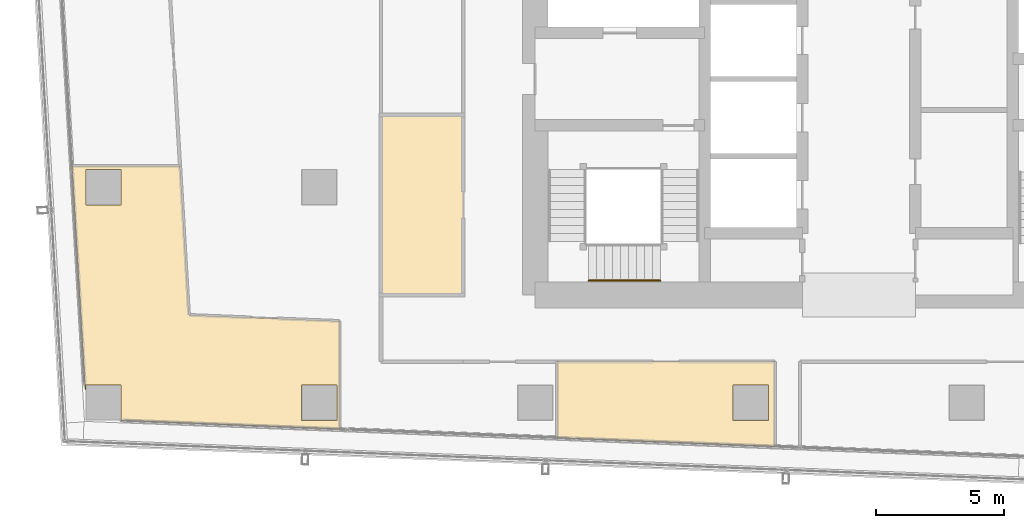
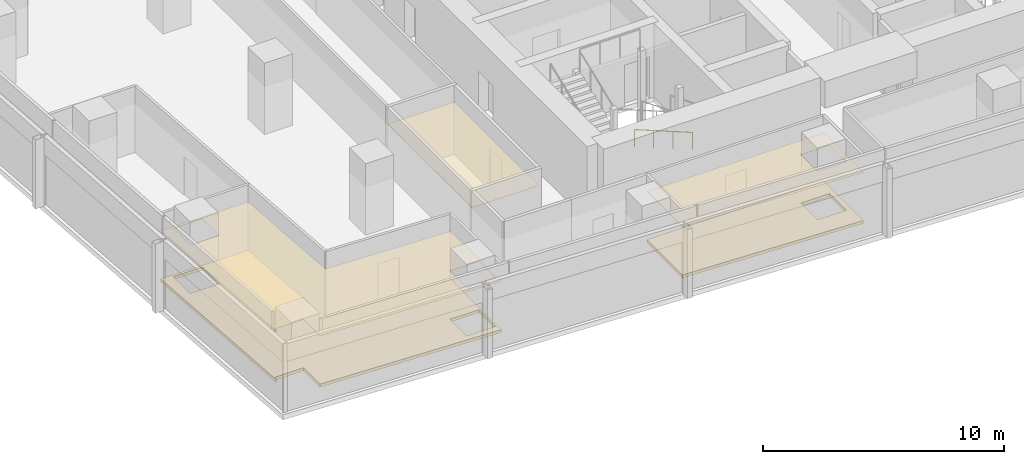
# One storey, part 31 of 38: 5 coverings, 1 railing.
"""IFC4 building model written with IfcOpenShell, lengths in metres."""

from ifc_helpers import new_model, si_unit, direction, frame, origin, origin_2d, place, context, subcontext, project, spatial, polyline, circle, outline, extrude, material, layer, layer_set, type_object, element, save


model = new_model("IFC4")

# Units and contexts
model_context = context("Model", 3, precision=1e-05, world=origin(), true_north=direction((0.0, 1.0)))
body_context = subcontext(model_context, "Body", "Model", "MODEL_VIEW")
ifc_project = project(units=[si_unit("LENGTHUNIT", "METRE"), si_unit("AREAUNIT", "SQUARE_METRE"), si_unit("VOLUMEUNIT", "CUBIC_METRE"), si_unit("PLANEANGLEUNIT", "RADIAN"), si_unit("MASSUNIT", "GRAM", prefix="KILO")], contexts=[model_context])

# Site, building, storey
site_placement = place(None, origin())
site = spatial("IfcSite", under=ifc_project, at=site_placement, CompositionType="ELEMENT")
building_placement = place(site_placement, origin())
building = spatial("IfcBuilding", under=site, at=building_placement, Name="Rekha Terrace Tower", CompositionType="ELEMENT")
storey_placement = place(building_placement, frame((0.0, 0.0, 202.699951171875)))
storey = spatial("IfcBuildingStorey", under=building, at=storey_placement, Name="L51", CompositionType="ELEMENT", Elevation=202.699951171875)

# Coverings
ifc_material_1 = material(Name="Mineral fibre tile in exposed grid", Category="finish")
ifc_layer_1 = layer(ifc_material_1, 0.02001953125)
ifc_layer_set_1 = layer_set([ifc_layer_1], Name="Mineral fibre tile in exposed grid")
covering_type_1 = type_object("IfcCoveringType", Name="CL1 600x1200 office grid ceiling", PredefinedType="CEILING", material=ifc_layer_set_1)
covering_1_placement = place(storey_placement, frame((0.0, 0.0, 2.580078125)))
element("IfcCovering", 1, at=covering_1_placement, inside=storey, type_object=covering_type_1, Name="Ceiling L51-15", PredefinedType="CEILING", context=body_context, shape_type="SweptSolid", body=[
    extrude(outline(polyline([(9.090087890625, 16.117919921875), (17.5849609375, 15.779052734375), (17.5849609375, 19.98193359375), (11.720947265625, 20.216064453125), (11.37890625, 26.02294921875), (7.172119140625, 26.02294921875), (7.68408203125, 17.319091796875), (7.7099609375, 17.320068359375), (7.7099609375, 17.489990234375), (9.090087890625, 17.489990234375), (9.090087890625, 16.117919921875)]), holes=[polyline([(17.489990234375, 17.489990234375), (17.489990234375, 16.110107421875), (16.110107421875, 16.110107421875), (16.110107421875, 17.489990234375), (17.489990234375, 17.489990234375)]), polyline([(9.090087890625, 24.510009765625), (7.7099609375, 24.510009765625), (7.7099609375, 25.889892578125), (9.090087890625, 25.889892578125), (9.090087890625, 24.510009765625)])]), origin(), (0.0, 0.0, 1.0), 0.02001953125),
])
covering_2_placement = place(storey_placement, frame((0.0, 0.0, 2.580078125)))
element("IfcCovering", 2, at=covering_2_placement, inside=storey, type_object=covering_type_1, Name="Ceiling L51-16", PredefinedType="CEILING", context=body_context, shape_type="SweptSolid", body=[
    extrude(outline(polyline([(26.05810546875, 18.39990234375), (26.05810546875, 15.43994140625), (34.530029296875, 15.10205078125), (34.530029296875, 18.39990234375), (26.05810546875, 18.39990234375)]), holes=[polyline([(34.2900390625, 16.110107421875), (32.909912109375, 16.110107421875), (32.909912109375, 17.489990234375), (34.2900390625, 17.489990234375), (34.2900390625, 16.110107421875)])]), origin(), (0.0, 0.0, 1.0), 0.02001953125),
])
ifc_material_2 = material(Name="Fibre cement board", Category="finish")
ifc_layer_2 = layer(ifc_material_2, 0.014892578125)
ifc_layer_set_2 = layer_set([ifc_layer_2], Name="Fibre cement board")
covering_type_2 = type_object("IfcCoveringType", Name="CL2 moisture-resistant board ceiling", PredefinedType="CEILING", material=ifc_layer_set_2)
covering_3_placement = place(storey_placement, frame((0.0, 0.0, 2.5849609375)))
element("IfcCovering", 3, at=covering_3_placement, inside=storey, type_object=covering_type_2, Name="Ceiling L51-WCM", PredefinedType="CEILING", context=body_context, shape_type="SweptSolid", body=[
    extrude(outline(polyline([(22.39990234375, 28.0), (19.199951171875, 28.0), (19.199951171875, 21.0), (22.39990234375, 21.0), (22.39990234375, 28.0)])), origin(), (0.0, 0.0, 1.0), 0.01513671875),
])

# Railing
ifc_material_3 = material(Name="Stainless steel tube", Category="steel")
railing_type = type_object("IfcRailingType", Name="HR1 900 stair handrail", PredefinedType="HANDRAIL", material=ifc_material_3)
railing_placement = place(storey_placement, frame((30.074951171875, 21.56005859375, 1.375)))
element("IfcRailing", 4, at=railing_placement, inside=storey, type_object=railing_type, Name="Handrail ST1 L51 flight 2", PredefinedType="HANDRAIL", context=body_context, shape_type="SweptSolid", body=[
    extrude(circle(Radius=0.02392578125, at=origin_2d()), frame((0.0, 0.0, 0.8759765625), z_axis=(-0.927443287984, 0.0, 0.373963831907), x_axis=(0.0, -1.0, 0.0)), (0.0, 0.0, 1.0), 3.00830078125),
    extrude(circle(Radius=0.02099609375, at=origin_2d()), origin(), (0.0, 0.0, 1.0), 0.851806640625),
    extrude(circle(Radius=0.02099609375, at=origin_2d()), frame((-0.929931640625, 0.0, 0.375)), (0.0, 0.0, 1.0), 0.851806640625),
    extrude(circle(Radius=0.02099609375, at=origin_2d()), frame((-1.860107421875, 0.0, 0.75)), (0.0, 0.0, 1.0), 0.851806640625),
    extrude(circle(Radius=0.02099609375, at=origin_2d()), frame((-2.7900390625, 0.0, 1.125)), (0.0, 0.0, 1.0), 0.851806640625),
])

# Coverings
ifc_material_4 = material(Name="Calcium sulphate panels on steel pedestals", Category="steel")
ifc_layer_3 = layer(ifc_material_4, 0.14990234375)
ifc_layer_set_3 = layer_set([ifc_layer_3], Name="Calcium sulphate panels on steel pedestals")
covering_type_3 = type_object("IfcCoveringType", Name="RF1 150 raised access floor", PredefinedType="FLOORING", material=ifc_layer_set_3)
covering_4_placement = place(storey_placement, origin())
element("IfcCovering", 5, at=covering_4_placement, inside=storey, type_object=covering_type_3, Name="Raised floor L51-15", PredefinedType="FLOORING", context=body_context, shape_type="SweptSolid", body=[
    extrude(outline(polyline([(9.090087890625, 16.117919921875), (17.5849609375, 15.779052734375), (17.5849609375, 19.98193359375), (11.720947265625, 20.216064453125), (11.37890625, 26.02294921875), (7.172119140625, 26.02294921875), (7.68408203125, 17.319091796875), (7.7099609375, 17.320068359375), (7.7099609375, 17.489990234375), (9.090087890625, 17.489990234375), (9.090087890625, 16.117919921875)]), holes=[polyline([(17.489990234375, 17.489990234375), (17.489990234375, 16.110107421875), (16.110107421875, 16.110107421875), (16.110107421875, 17.489990234375), (17.489990234375, 17.489990234375)]), polyline([(9.090087890625, 24.510009765625), (7.7099609375, 24.510009765625), (7.7099609375, 25.889892578125), (9.090087890625, 25.889892578125), (9.090087890625, 24.510009765625)])]), origin(), (0.0, 0.0, 1.0), 0.150146484375),
])
covering_5_placement = place(storey_placement, origin())
element("IfcCovering", 6, at=covering_5_placement, inside=storey, type_object=covering_type_3, Name="Raised floor L51-16", PredefinedType="FLOORING", context=body_context, shape_type="SweptSolid", body=[
    extrude(outline(polyline([(26.05810546875, 18.39990234375), (26.05810546875, 15.43994140625), (34.530029296875, 15.10205078125), (34.530029296875, 18.39990234375), (26.05810546875, 18.39990234375)]), holes=[polyline([(34.2900390625, 16.110107421875), (32.909912109375, 16.110107421875), (32.909912109375, 17.489990234375), (34.2900390625, 17.489990234375), (34.2900390625, 16.110107421875)])]), origin(), (0.0, 0.0, 1.0), 0.150146484375),
])

save(model, "model.ifc")
